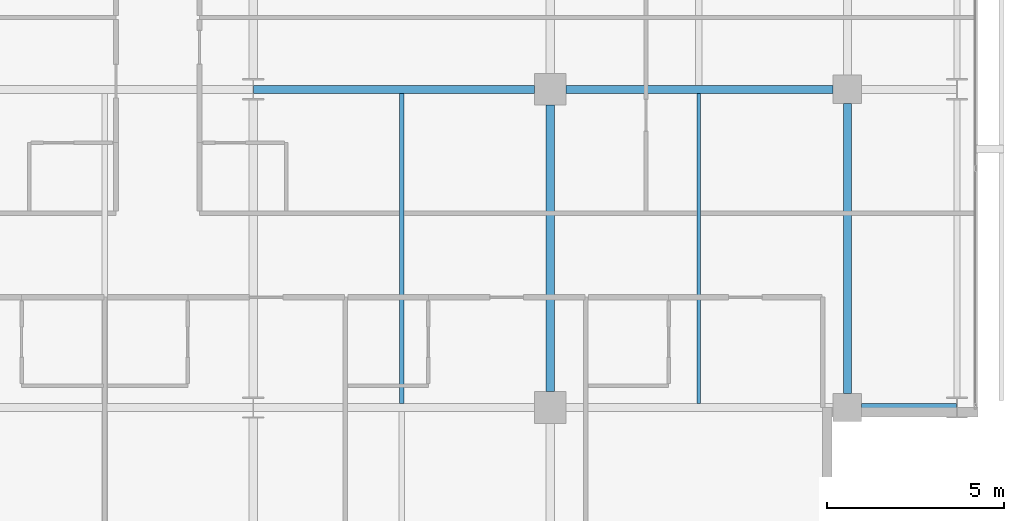
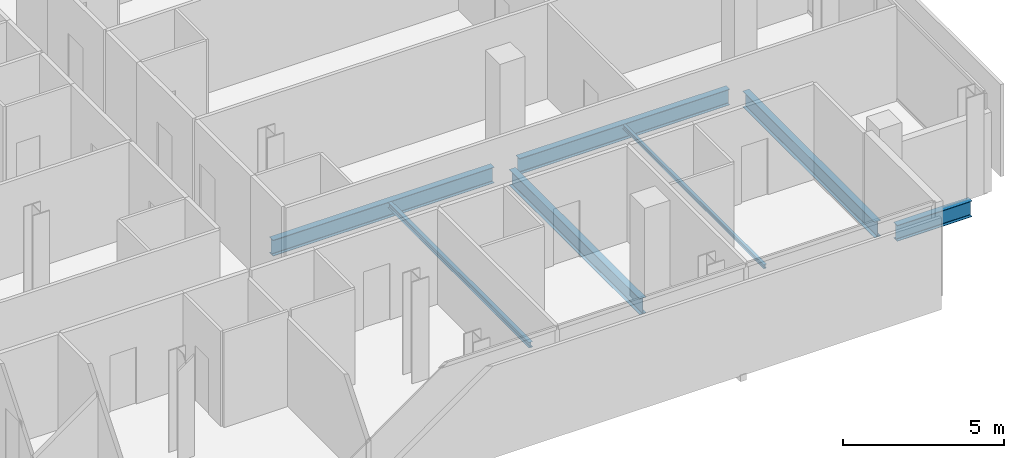
# One storey, part 14 of 33: 7 beams.
"""IFC4 building model written with IfcOpenShell, lengths in metres."""

from ifc_helpers import new_model, si_unit, direction, frame, origin, origin_2d, place, context, subcontext, project, spatial, i_section, extrude, material, material_profile, profile_set, type_object, element, save


model = new_model("IFC4")

# Units and contexts
model_context = context("Model", 3, precision=1e-05, world=origin(), true_north=direction((0.0, 1.0)))
body_context = subcontext(model_context, "Body", "Model", "MODEL_VIEW")
ifc_project = project(units=[si_unit("LENGTHUNIT", "METRE"), si_unit("AREAUNIT", "SQUARE_METRE"), si_unit("VOLUMEUNIT", "CUBIC_METRE"), si_unit("PLANEANGLEUNIT", "RADIAN"), si_unit("MASSUNIT", "GRAM", prefix="KILO")], contexts=[model_context])

# Site, building, storey
site_placement = place(None, origin())
site = spatial("IfcSite", under=ifc_project, at=site_placement, CompositionType="ELEMENT")
building_placement = place(site_placement, origin())
building = spatial("IfcBuilding", under=site, at=building_placement, Name="Maruvema Waterfront Hotel and Observation Tower", CompositionType="ELEMENT")
storey_placement = place(building_placement, frame((0.0, 0.0, 158.199951171875)))
storey = spatial("IfcBuildingStorey", under=building, at=storey_placement, Name="L38", CompositionType="ELEMENT", Elevation=158.199951171875)

# Beams
ifc_material_1 = material(Name="Steel ASTM A572 Grade 50", Category="steel")
ifc_material_profile_1 = material_profile(ifc_material_1, i_section(OverallWidth=0.22802734375, OverallDepth=0.60302734375, WebThickness=0.010498046875, FlangeThickness=0.014892578125, FilletRadius=0.01806640625, at=origin_2d()), Name="W610x101.0")
ifc_profile_set_1 = profile_set([ifc_material_profile_1], Name="Steel ASTM A572 Grade 50")
beam_type_1 = type_object("IfcBeamType", Name="Primary Floor Girder W610x101.0", PredefinedType="BEAM", material=ifc_profile_set_1)
beam_1_placement = place(storey_placement, frame((59.199951171875, 9.0, -0.54150390625), z_axis=(1.0, 0.0, 0.0), x_axis=(0.0, 1.0, 0.0)))
element("IfcBeam", 1, at=beam_1_placement, inside=storey, type_object=beam_type_1, Name="L38 Floor Girder EW-10", PredefinedType="BEAM", context=body_context, shape_type="SweptSolid", body=[
    extrude(i_section(OverallWidth=0.22802734375, OverallDepth=0.60302734375, WebThickness=0.010498046875, FlangeThickness=0.014892578125, FilletRadius=0.01806640625, at=origin_2d()), origin(), (0.0, 0.0, 1.0), 2.6875),
])
beam_2_placement = place(storey_placement, frame((42.012451171875, 18.0, -0.54150390625), z_axis=(1.0, 0.0, 0.0), x_axis=(0.0, 1.0, 0.0)))
element("IfcBeam", 2, at=beam_2_placement, inside=storey, type_object=beam_type_1, Name="L38 Floor Girder EW-15", PredefinedType="BEAM", context=body_context, shape_type="SweptSolid", body=[
    extrude(i_section(OverallWidth=0.22802734375, OverallDepth=0.60302734375, WebThickness=0.010498046875, FlangeThickness=0.014892578125, FilletRadius=0.01806640625, at=origin_2d()), origin(), (0.0, 0.0, 1.0), 7.9375),
])
beam_3_placement = place(storey_placement, frame((50.85009765625, 18.0, -0.54150390625), z_axis=(1.0, 0.0, 0.0), x_axis=(0.0, 1.0, 0.0)))
element("IfcBeam", 3, at=beam_3_placement, inside=storey, type_object=beam_type_1, Name="L38 Floor Girder EW-16", PredefinedType="BEAM", context=body_context, shape_type="SweptSolid", body=[
    extrude(i_section(OverallWidth=0.22802734375, OverallDepth=0.60302734375, WebThickness=0.010498046875, FlangeThickness=0.014892578125, FilletRadius=0.01806640625, at=origin_2d()), origin(), (0.0, 0.0, 1.0), 7.5498046875),
])
beam_4_placement = place(storey_placement, frame((50.39990234375, 9.449951171875, -0.54150390625), z_axis=(0.0, 1.0, 0.0), x_axis=(-1.0, 0.0, 0.0)))
element("IfcBeam", 4, at=beam_4_placement, inside=storey, type_object=beam_type_1, Name="L38 Floor Girder NS-21", PredefinedType="BEAM", context=body_context, shape_type="SweptSolid", body=[
    extrude(i_section(OverallWidth=0.22802734375, OverallDepth=0.60302734375, WebThickness=0.010498046875, FlangeThickness=0.014892578125, FilletRadius=0.01806640625, at=origin_2d()), origin(), (0.0, 0.0, 1.0), 8.10009765625),
])
beam_5_placement = place(storey_placement, frame((58.800048828125, 9.39990234375, -0.54150390625), z_axis=(0.0, 1.0, 0.0), x_axis=(-1.0, 0.0, 0.0)))
element("IfcBeam", 5, at=beam_5_placement, inside=storey, type_object=beam_type_1, Name="L38 Floor Girder NS-25", PredefinedType="BEAM", context=body_context, shape_type="SweptSolid", body=[
    extrude(i_section(OverallWidth=0.22802734375, OverallDepth=0.60302734375, WebThickness=0.010498046875, FlangeThickness=0.014892578125, FilletRadius=0.01806640625, at=origin_2d()), origin(), (0.0, 0.0, 1.0), 8.2001953125),
])
ifc_material_2 = material(Name="Steel ASTM A572 Grade 50", Category="steel")
ifc_material_profile_2 = material_profile(ifc_material_2, i_section(OverallWidth=0.10009765625, OverallDepth=0.153076171875, WebThickness=0.005859375, FlangeThickness=0.007080078125, FilletRadius=0.008056640625, at=origin_2d()), Name="W150x18.0")
ifc_profile_set_2 = profile_set([ifc_material_profile_2], Name="Steel ASTM A572 Grade 50")
beam_type_2 = type_object("IfcBeamType", Name="Secondary Floor Joist W150x18.0", PredefinedType="JOIST", material=ifc_profile_set_2)
beam_6_placement = place(storey_placement, frame((54.60009765625, 9.114013671875, -0.31640625), z_axis=(0.0, 1.0, 0.0), x_axis=(-1.0, 0.0, 0.0)))
element("IfcBeam", 6, at=beam_6_placement, inside=storey, type_object=beam_type_2, Name="L38 Secondary Floor Joist JS-11", PredefinedType="JOIST", context=body_context, shape_type="SweptSolid", body=[
    extrude(i_section(OverallWidth=0.10009765625, OverallDepth=0.153076171875, WebThickness=0.005859375, FlangeThickness=0.007080078125, FilletRadius=0.008056640625, at=origin_2d()), origin(), (0.0, 0.0, 1.0), 8.77197265625),
])
ifc_material_3 = material(Name="Steel ASTM A572 Grade 50", Category="steel")
ifc_material_profile_3 = material_profile(ifc_material_3, i_section(OverallWidth=0.133056640625, OverallDepth=0.20703125, WebThickness=0.005859375, FlangeThickness=0.00830078125, FilletRadius=0.010009765625, at=origin_2d()), Name="W200x26.6")
ifc_profile_set_3 = profile_set([ifc_material_profile_3], Name="Steel ASTM A572 Grade 50")
beam_type_3 = type_object("IfcBeamType", Name="Secondary Floor Joist W200x26.6", PredefinedType="JOIST", material=ifc_profile_set_3)
beam_7_placement = place(storey_placement, frame((46.199951171875, 9.114013671875, -0.343505859375), z_axis=(0.0, 1.0, 0.0), x_axis=(-1.0, 0.0, 0.0)))
element("IfcBeam", 7, at=beam_7_placement, inside=storey, type_object=beam_type_3, Name="L38 Secondary Floor Joist JS-10", PredefinedType="JOIST", context=body_context, shape_type="SweptSolid", body=[
    extrude(i_section(OverallWidth=0.133056640625, OverallDepth=0.20703125, WebThickness=0.005859375, FlangeThickness=0.00830078125, FilletRadius=0.010009765625, at=origin_2d()), origin(), (0.0, 0.0, 1.0), 8.77197265625),
])

save(model, "model.ifc")
